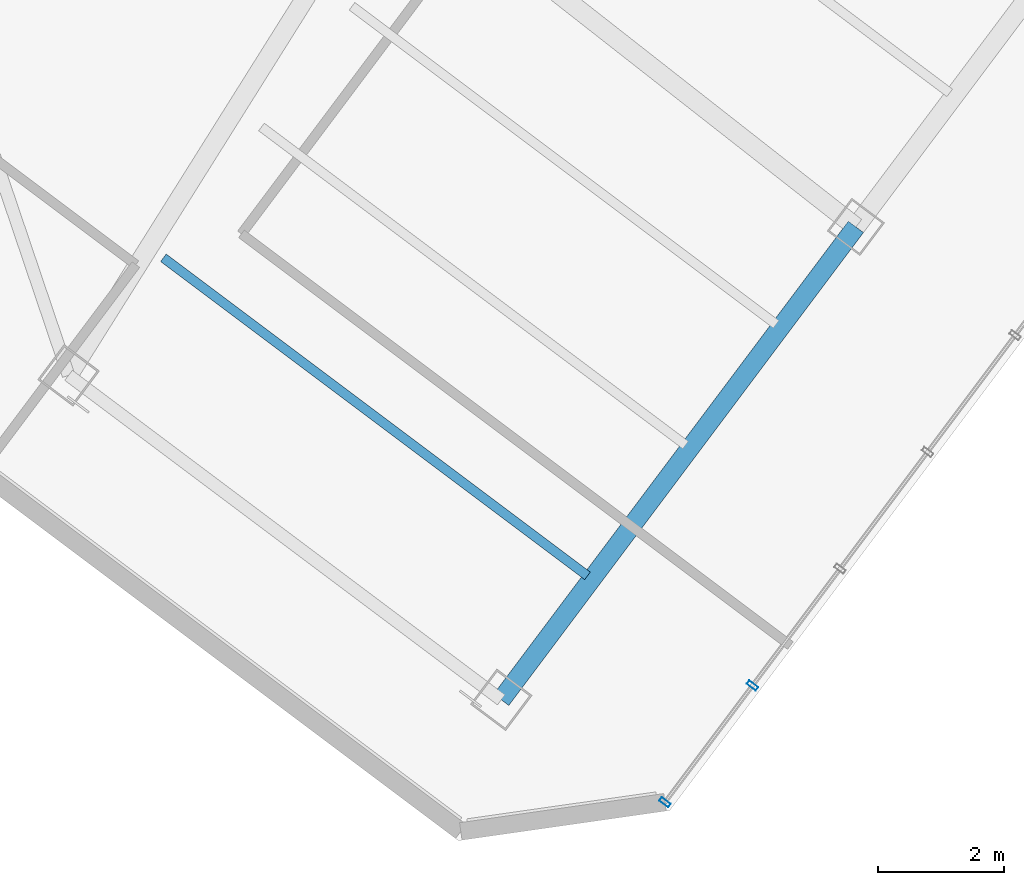
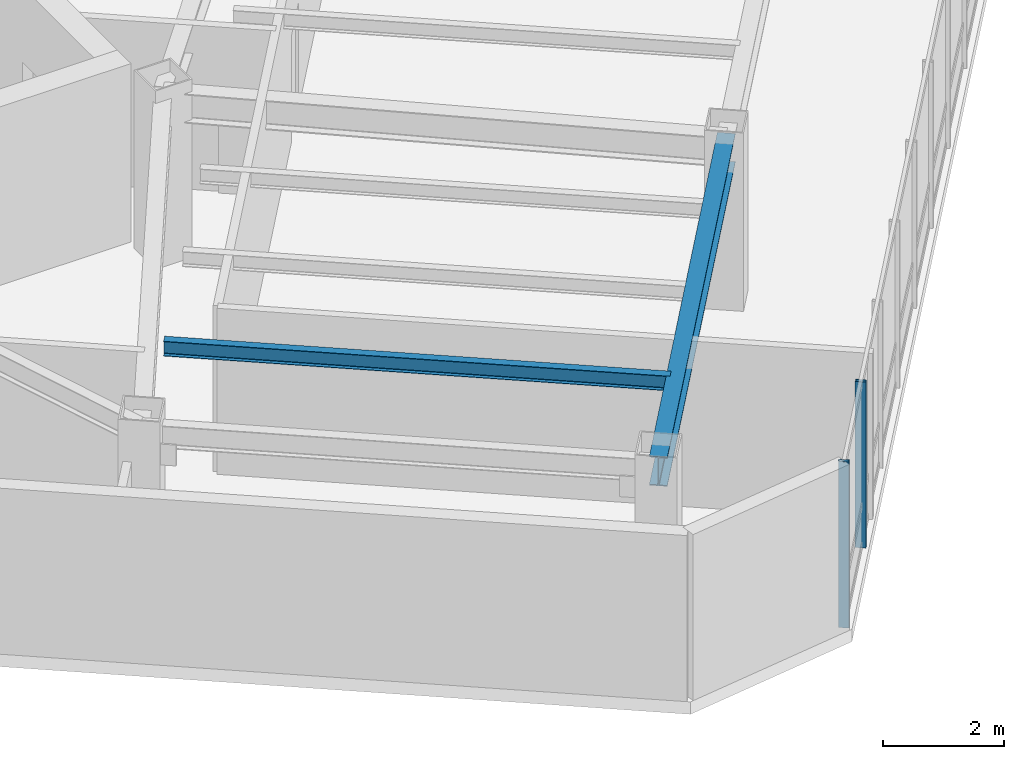
# One storey, part 2 of 25: 2 beams, 2 members, 1 element without a shape of its own.
"""IFC4 building model written with IfcOpenShell, lengths in metres."""

from ifc_helpers import new_model, si_unit, direction, frame, origin, origin_2d, place, context, subcontext, project, spatial, hollow_rectangle, i_section, extrude, material, layer, layer_set, material_profile, profile_set, type_object, element, aggregate, save


model = new_model("IFC4")

# Units and contexts
model_context = context("Model", 3, precision=1e-05, world=origin(), true_north=direction((0.0, 1.0)))
body_context = subcontext(model_context, "Body", "Model", "MODEL_VIEW")
ifc_project = project(units=[si_unit("LENGTHUNIT", "METRE"), si_unit("AREAUNIT", "SQUARE_METRE"), si_unit("VOLUMEUNIT", "CUBIC_METRE"), si_unit("PLANEANGLEUNIT", "RADIAN"), si_unit("MASSUNIT", "GRAM", prefix="KILO")], contexts=[model_context])

# Site, building, storey
site_placement = place(None, origin())
site = spatial("IfcSite", under=ifc_project, at=site_placement, CompositionType="ELEMENT")
building_placement = place(site_placement, origin())
building = spatial("IfcBuilding", under=site, at=building_placement, Name="Hatsunagi Terrace Concourse", CompositionType="ELEMENT")
storey_placement = place(building_placement, frame((0.0, 0.0, 220.35009765625)))
storey = spatial("IfcBuildingStorey", under=building, at=storey_placement, Name="L58", CompositionType="ELEMENT", Elevation=220.35009765625)

# Curtain wall, members
ifc_material_1 = material(Name="Anodised Aluminium Alloy 6063-T5", Category="aluminium")
ifc_layer = layer(ifc_material_1, 0.199951171875)
ifc_layer_set = layer_set([ifc_layer], Name="OfficeZone2_CW04")
curtain_wall_type = type_object("IfcCurtainWallType", Name="OfficeZone2_CW04", PredefinedType="NOTDEFINED", material=ifc_layer_set)
curtain_wall_placement = place(storey_placement, origin())
curtain_wall = element("IfcCurtainWall", 1, at=curtain_wall_placement, inside=storey, type_object=curtain_wall_type, Name="Unitised Curtain Wall CW-04 CW-L58-03", PredefinedType="NOTDEFINED")
ifc_material_2 = material(Name="Anodised Aluminium Alloy 6063-T5", Category="aluminium")
ifc_material_profile_1 = material_profile(ifc_material_2, hollow_rectangle(XDim=0.070068359375, YDim=0.179931640625, WallThickness=0.00390625, at=origin_2d()), Name="ALU-MUL-180x70x4")
ifc_profile_set_1 = profile_set([ifc_material_profile_1], Name="Anodised Aluminium Alloy 6063-T5")
member_type = type_object("IfcMemberType", Name="CurtainWallMullion_180x70", PredefinedType="MULLION", material=ifc_profile_set_1)
member_1_placement = place(storey_placement, frame((49.554931640625, 11.10595703125, 0.0), z_axis=(0.0, 0.0, 1.0), x_axis=(-0.599969314634, -0.800023013105, 0.0)))
member_1 = element("IfcMember", 2, at=member_1_placement, type_object=member_type, Name="Curtain Wall Mullion MUL-02", PredefinedType="MULLION", context=body_context, shape_type="SweptSolid", body=[
    extrude(hollow_rectangle(XDim=0.070068359375, YDim=0.179931640625, WallThickness=0.00390625, at=origin_2d()), origin(), (0.0, 0.0, 1.0), 3.349853515625),
])
member_2_placement = place(storey_placement, frame((48.1630859375, 9.25, 0.0), z_axis=(0.0, 0.0, 1.0), x_axis=(-0.599969314634, -0.800023013105, 0.0)))
member_2 = element("IfcMember", 3, at=member_2_placement, type_object=member_type, Name="Curtain Wall Mullion MUL-02", PredefinedType="MULLION", context=body_context, shape_type="SweptSolid", body=[
    extrude(hollow_rectangle(XDim=0.070068359375, YDim=0.179931640625, WallThickness=0.00390625, at=origin_2d()), origin(), (0.0, 0.0, 1.0), 3.349853515625),
])
aggregate(curtain_wall, [member_1, member_2])

# Beams
ifc_material_3 = material(Name="Steel SN490B", Category="steel")
ifc_material_profile_2 = material_profile(ifc_material_3, i_section(OverallWidth=0.300048828125, OverallDepth=0.587890625, WebThickness=0.011962890625, FlangeThickness=0.02001953125, FilletRadius=0.01806640625, at=origin_2d()), Name="H-588x300x12x20")
ifc_profile_set_2 = profile_set([ifc_material_profile_2], Name="Steel SN490B")
beam_type_1 = type_object("IfcBeamType", Name="OfficeHighGirder_H_588x300", PredefinedType="BEAM", material=ifc_profile_set_2)
beam_1_placement = place(storey_placement, frame((45.56005859375, 10.8798828125, 3.055908203125), z_axis=(0.599991688754, 0.800006233367, 0.0), x_axis=(-0.800006233367, 0.599991688754, 0.0)))
element("IfcBeam", 4, at=beam_1_placement, inside=storey, type_object=beam_type_1, Name="Beam G-06 BM-L58-SET-2A", PredefinedType="BEAM", context=body_context, shape_type="SweptSolid", body=[
    extrude(i_section(OverallWidth=0.300048828125, OverallDepth=0.587890625, WebThickness=0.011962890625, FlangeThickness=0.02001953125, FilletRadius=0.01806640625, at=origin_2d()), origin(), (0.0, 0.0, 1.0), 9.39990234375),
])
ifc_material_4 = material(Name="Steel SN490B", Category="steel")
ifc_material_profile_3 = material_profile(ifc_material_4, i_section(OverallWidth=0.14990234375, OverallDepth=0.300048828125, WebThickness=0.006591796875, FlangeThickness=0.009033203125, FilletRadius=0.010986328125, at=origin_2d()), Name="H-300x150x6.5x9")
ifc_profile_set_3 = profile_set([ifc_material_profile_3], Name="Steel SN490B")
beam_type_2 = type_object("IfcBeamType", Name="OfficeJoist_H_300x150", PredefinedType="JOIST", material=ifc_profile_set_3)
beam_2_placement = place(storey_placement, frame((40.18798828125, 17.908935546875, 3.199951171875), z_axis=(0.800003475366, -0.59999536615, 0.0), x_axis=(0.59999536615, 0.800003475366, 0.0)))
element("IfcBeam", 5, at=beam_2_placement, inside=storey, type_object=beam_type_2, Name="Beam J-03 J-L58-SE-2-46", PredefinedType="JOIST", context=body_context, shape_type="SweptSolid", body=[
    extrude(i_section(OverallWidth=0.14990234375, OverallDepth=0.300048828125, WebThickness=0.006591796875, FlangeThickness=0.009033203125, FilletRadius=0.010986328125, at=origin_2d()), origin(), (0.0, 0.0, 1.0), 8.429931640625),
])

save(model, "model.ifc")
